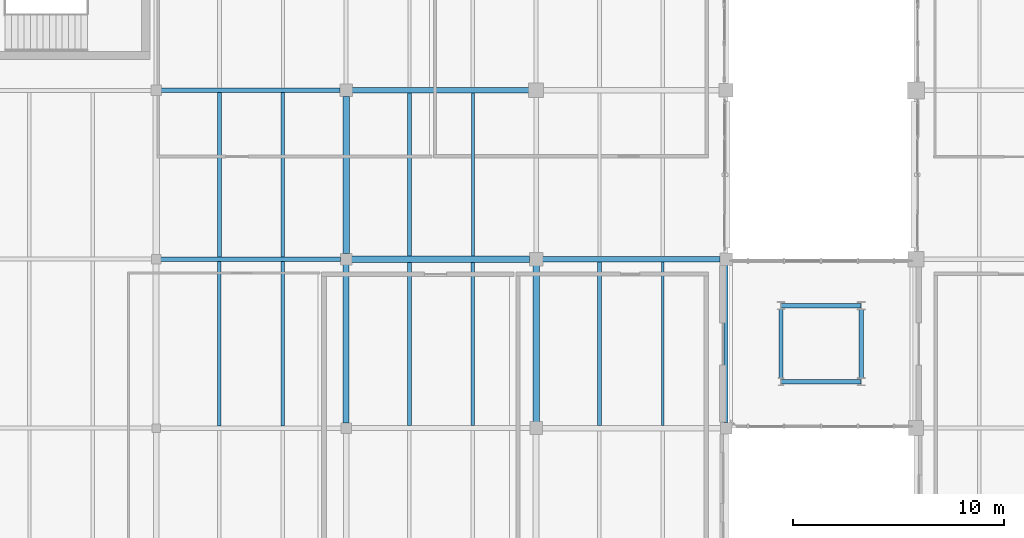
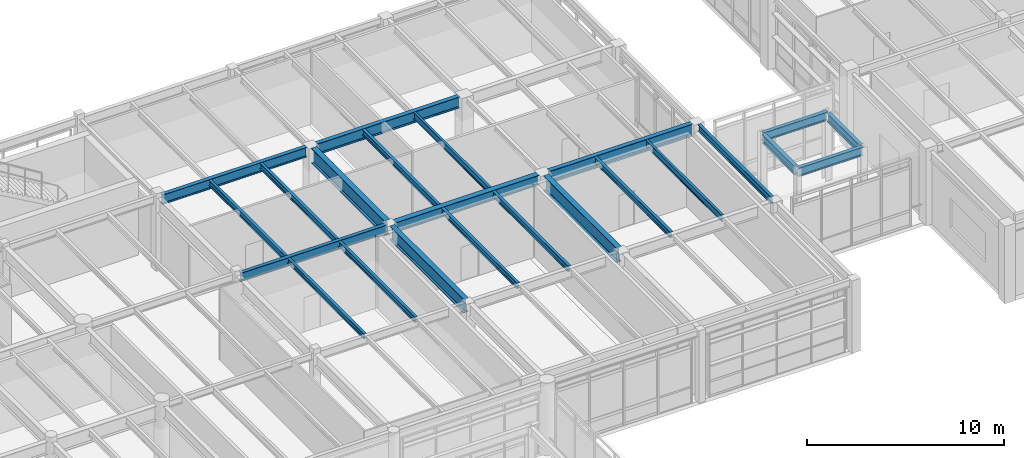
# One storey, part 92 of 200: 23 beams.
"""IFC4 building model written with IfcOpenShell, lengths in metres."""

from ifc_helpers import new_model, si_unit, direction, frame, origin, origin_2d, place, context, subcontext, project, spatial, i_section, extrude, material, material_profile, profile_set, type_object, element, save


model = new_model("IFC4")

# Units and contexts
model_context = context("Model", 3, precision=1e-05, world=origin(), true_north=direction((0.0, 1.0)))
body_context = subcontext(model_context, "Body", "Model", "MODEL_VIEW")
ifc_project = project(units=[si_unit("LENGTHUNIT", "METRE"), si_unit("AREAUNIT", "SQUARE_METRE"), si_unit("VOLUMEUNIT", "CUBIC_METRE"), si_unit("PLANEANGLEUNIT", "RADIAN"), si_unit("MASSUNIT", "GRAM", prefix="KILO"), si_unit("THERMODYNAMICTEMPERATUREUNIT", "KELVIN"), si_unit("POWERUNIT", "WATT")], contexts=[model_context])

# Site, building, storey
site_placement = place(None, origin())
site = spatial("IfcSite", under=ifc_project, at=site_placement, CompositionType="ELEMENT")
building_placement = place(site_placement, origin())
building = spatial("IfcBuilding", under=site, at=building_placement, Name="Tepalcoro Natatorium and Aquatics Centre", CompositionType="ELEMENT")
storey_placement = place(building_placement, frame((0.0, 0.0, 5.39990234375)))
storey = spatial("IfcBuildingStorey", under=building, at=storey_placement, Name="L01", CompositionType="ELEMENT", Elevation=5.39990234375)

# Beams
ifc_material = material(Name="Steel ASTM A992 Grade 50 (Fy 345 MPa)", Category="steel")
ifc_material_profile_1 = material_profile(ifc_material, i_section(OverallWidth=0.2109375, OverallDepth=0.5380859375, WebThickness=0.011962890625, FlangeThickness=0.01904296875, FilletRadius=0.013916015625, at=origin_2d()), Name="W21X73")
ifc_profile_set_1 = profile_set([ifc_material_profile_1], Name="Steel ASTM A992 Grade 50 (Fy 345 MPa)")
beam_type_1 = type_object("IfcBeamType", Name="BM_LINK_LB1", PredefinedType="BEAM", material=ifc_profile_set_1)
for number, where, z_axis, x_axis, name in (
    (1, (91.60009765625, 96.199951171875, 3.9560546875), (1.0, 0.0, 0.0), (0.0, 1.0, 0.0), "Seismic passage link beam LB1 (V6N L01)"),
    (2, (91.60009765625, 99.800048828125, 3.9560546875), (1.0, 0.0, 0.0), (0.0, 1.0, 0.0), "Seismic passage link beam LB1 (V6N L01)"),
):
    element("IfcBeam", number, at=place(storey_placement, frame(where, z_axis=z_axis, x_axis=x_axis)), inside=storey, type_object=beam_type_1, Name=name, PredefinedType="BEAM", context=body_context, shape_type="SweptSolid", body=[
        extrude(i_section(OverallWidth=0.2109375, OverallDepth=0.5380859375, WebThickness=0.011962890625, FlangeThickness=0.01904296875, FilletRadius=0.013916015625, at=origin_2d()), origin(), (0.0, 0.0, 1.0), 3.7998046875),
    ])
beam_1_placement = place(storey_placement, frame((91.60009765625, 96.35693359375, 3.9560546875), z_axis=(0.0, 1.0, 0.0), x_axis=(-1.0, 0.0, 0.0)))
element("IfcBeam", 3, at=beam_1_placement, inside=storey, type_object=beam_type_1, Name="Seismic passage link beam LB1 (V6N L01)", PredefinedType="BEAM", context=body_context, shape_type="SweptSolid", body=[
    extrude(i_section(OverallWidth=0.2109375, OverallDepth=0.5380859375, WebThickness=0.011962890625, FlangeThickness=0.01904296875, FilletRadius=0.013916015625, at=origin_2d()), origin(), (0.0, 0.0, 1.0), 3.2861328125),
])
beam_2_placement = place(storey_placement, frame((95.39990234375, 96.35693359375, 3.9560546875), z_axis=(0.0, 1.0, 0.0), x_axis=(-1.0, 0.0, 0.0)))
element("IfcBeam", 4, at=beam_2_placement, inside=storey, type_object=beam_type_1, Name="Seismic passage link beam LB1 (V6N L01)", PredefinedType="BEAM", context=body_context, shape_type="SweptSolid", body=[
    extrude(i_section(OverallWidth=0.2109375, OverallDepth=0.5380859375, WebThickness=0.011962890625, FlangeThickness=0.01904296875, FilletRadius=0.013916015625, at=origin_2d()), origin(), (0.0, 0.0, 1.0), 3.280029296875),
])
ifc_material_profile_2 = material_profile(ifc_material, i_section(OverallWidth=0.2119140625, OverallDepth=0.5439453125, WebThickness=0.012939453125, FlangeThickness=0.02099609375, FilletRadius=0.013916015625, at=origin_2d()), Name="W21X83")
ifc_profile_set_2 = profile_set([ifc_material_profile_2], Name="Steel ASTM A992 Grade 50 (Fy 345 MPa)")
beam_type_2 = type_object("IfcBeamType", Name="BM_W21x83", PredefinedType="BEAM", material=ifc_profile_set_2)
beam_3_placement = place(storey_placement, frame((62.2099609375, 102.0, 4.213134765625), z_axis=(1.0, 0.0, 0.0), x_axis=(0.0, 1.0, 0.0)))
element("IfcBeam", 5, at=beam_3_placement, inside=storey, type_object=beam_type_2, Name="V4 L01 Grid Girder X", PredefinedType="BEAM", context=body_context, shape_type="SweptSolid", body=[
    extrude(i_section(OverallWidth=0.2119140625, OverallDepth=0.5439453125, WebThickness=0.012939453125, FlangeThickness=0.02099609375, FilletRadius=0.013916015625, at=origin_2d()), origin(), (0.0, 0.0, 1.0), 8.530029296875),
])
ifc_material_profile_3 = material_profile(ifc_material, i_section(OverallWidth=0.324951171875, OverallDepth=0.616943359375, WebThickness=0.013916015625, FlangeThickness=0.02197265625, FilletRadius=0.013916015625, at=origin_2d()), Name="W24X117")
ifc_profile_set_3 = profile_set([ifc_material_profile_3], Name="Steel ASTM A992 Grade 50 (Fy 345 MPa)")
beam_type_3 = type_object("IfcBeamType", Name="BM_W24x117", PredefinedType="BEAM", material=ifc_profile_set_3)
beam_4_placement = place(storey_placement, frame((71.260009765625, 102.0, 4.176513671875), z_axis=(1.0, 0.0, 0.0), x_axis=(0.0, 1.0, 0.0)))
element("IfcBeam", 6, at=beam_4_placement, inside=storey, type_object=beam_type_3, Name="V4 L01 Grid Girder X", PredefinedType="BEAM", context=body_context, shape_type="SweptSolid", body=[
    extrude(i_section(OverallWidth=0.324951171875, OverallDepth=0.616943359375, WebThickness=0.013916015625, FlangeThickness=0.02197265625, FilletRadius=0.013916015625, at=origin_2d()), origin(), (0.0, 0.0, 1.0), 8.429931640625),
])
ifc_material_profile_4 = material_profile(ifc_material, i_section(OverallWidth=0.22802734375, OverallDepth=0.60693359375, WebThickness=0.010986328125, FlangeThickness=0.01708984375, FilletRadius=0.013916015625, at=origin_2d()), Name="W24X76")
ifc_profile_set_4 = profile_set([ifc_material_profile_4], Name="Steel ASTM A992 Grade 50 (Fy 345 MPa)")
beam_type_4 = type_object("IfcBeamType", Name="BM_W24x76", PredefinedType="BEAM", material=ifc_profile_set_4)
beam_5_placement = place(storey_placement, frame((62.235107421875, 110.0, 4.181640625), z_axis=(1.0, 0.0, 0.0), x_axis=(0.0, 1.0, 0.0)))
element("IfcBeam", 7, at=beam_5_placement, inside=storey, type_object=beam_type_4, Name="V4 L01 Grid Girder X", PredefinedType="BEAM", context=body_context, shape_type="SweptSolid", body=[
    extrude(i_section(OverallWidth=0.22802734375, OverallDepth=0.60693359375, WebThickness=0.010986328125, FlangeThickness=0.01708984375, FilletRadius=0.013916015625, at=origin_2d()), origin(), (0.0, 0.0, 1.0), 8.47998046875),
])
ifc_material_profile_5 = material_profile(ifc_material, i_section(OverallWidth=0.25390625, OverallDepth=0.68798828125, WebThickness=0.012939453125, FlangeThickness=0.02099609375, FilletRadius=0.013916015625, at=origin_2d()), Name="W27X102")
ifc_profile_set_5 = profile_set([ifc_material_profile_5], Name="Steel ASTM A992 Grade 50 (Fy 345 MPa)")
beam_type_5 = type_object("IfcBeamType", Name="BM_W27x102", PredefinedType="BEAM", material=ifc_profile_set_5)
beam_6_placement = place(storey_placement, frame((71.284912109375, 110.0, 4.14111328125), z_axis=(1.0, 0.0, 0.0), x_axis=(0.0, 1.0, 0.0)))
element("IfcBeam", 8, at=beam_6_placement, inside=storey, type_object=beam_type_5, Name="V4 L01 Grid Girder X", PredefinedType="BEAM", context=body_context, shape_type="SweptSolid", body=[
    extrude(i_section(OverallWidth=0.25390625, OverallDepth=0.68798828125, WebThickness=0.012939453125, FlangeThickness=0.02099609375, FilletRadius=0.013916015625, at=origin_2d()), origin(), (0.0, 0.0, 1.0), 8.380126953125),
])
ifc_material_profile_6 = material_profile(ifc_material, i_section(OverallWidth=0.26708984375, OverallDepth=0.761962890625, WebThickness=0.013916015625, FlangeThickness=0.02197265625, FilletRadius=0.013916015625, at=origin_2d()), Name="W30X116")
ifc_profile_set_6 = profile_set([ifc_material_profile_6], Name="Steel ASTM A992 Grade 50 (Fy 345 MPa)")
beam_type_6 = type_object("IfcBeamType", Name="BM_W30x116", PredefinedType="BEAM", material=ifc_profile_set_6)
beam_7_placement = place(storey_placement, frame((80.31005859375, 102.0, 4.10400390625), z_axis=(1.0, 0.0, 0.0), x_axis=(0.0, 1.0, 0.0)))
element("IfcBeam", 9, at=beam_7_placement, inside=storey, type_object=beam_type_6, Name="V4 L01 Grid Girder X", PredefinedType="BEAM", context=body_context, shape_type="SweptSolid", body=[
    extrude(i_section(OverallWidth=0.26708984375, OverallDepth=0.761962890625, WebThickness=0.013916015625, FlangeThickness=0.02197265625, FilletRadius=0.013916015625, at=origin_2d()), origin(), (0.0, 0.0, 1.0), 8.405029296875),
])
ifc_material_profile_7 = material_profile(ifc_material, i_section(OverallWidth=0.2919921875, OverallDepth=0.85888671875, WebThickness=0.01708984375, FlangeThickness=0.031005859375, FilletRadius=0.013916015625, at=origin_2d()), Name="W33X169")
ifc_profile_set_7 = profile_set([ifc_material_profile_7], Name="Steel ASTM A992 Grade 50 (Fy 345 MPa)")
beam_type_7 = type_object("IfcBeamType", Name="BM_W33x169", PredefinedType="BEAM", material=ifc_profile_set_7)
beam_8_placement = place(storey_placement, frame((71.0, 94.235107421875, 4.0556640625), z_axis=(0.0, 1.0, 0.0), x_axis=(-1.0, 0.0, 0.0)))
element("IfcBeam", 10, at=beam_8_placement, inside=storey, type_object=beam_type_7, Name="V4 L01 Grid Girder Y", PredefinedType="BEAM", context=body_context, shape_type="SweptSolid", body=[
    extrude(i_section(OverallWidth=0.2919921875, OverallDepth=0.85888671875, WebThickness=0.01708984375, FlangeThickness=0.031005859375, FilletRadius=0.013916015625, at=origin_2d()), origin(), (0.0, 0.0, 1.0), 7.5048828125),
])
ifc_material_profile_8 = material_profile(ifc_material, i_section(OverallWidth=0.304931640625, OverallDepth=0.9189453125, WebThickness=0.01708984375, FlangeThickness=0.028076171875, FilletRadius=0.013916015625, at=origin_2d()), Name="W36X170")
ifc_profile_set_8 = profile_set([ifc_material_profile_8], Name="Steel ASTM A992 Grade 50 (Fy 345 MPa)")
beam_type_8 = type_object("IfcBeamType", Name="BM_W36x170", PredefinedType="BEAM", material=ifc_profile_set_8)
beam_9_placement = place(storey_placement, frame((80.0, 94.284912109375, 4.025634765625), z_axis=(0.0, 1.0, 0.0), x_axis=(-1.0, 0.0, 0.0)))
element("IfcBeam", 11, at=beam_9_placement, inside=storey, type_object=beam_type_8, Name="V4 L01 Grid Girder Y", PredefinedType="BEAM", context=body_context, shape_type="SweptSolid", body=[
    extrude(i_section(OverallWidth=0.304931640625, OverallDepth=0.9189453125, WebThickness=0.01708984375, FlangeThickness=0.028076171875, FilletRadius=0.013916015625, at=origin_2d()), origin(), (0.0, 0.0, 1.0), 7.405029296875),
])
ifc_material_profile_9 = material_profile(ifc_material, i_section(OverallWidth=0.31005859375, OverallDepth=0.931884765625, WebThickness=0.02099609375, FlangeThickness=0.034912109375, FilletRadius=0.013916015625, at=origin_2d()), Name="W36X210")
ifc_profile_set_9 = profile_set([ifc_material_profile_9], Name="Steel ASTM A992 Grade 50 (Fy 345 MPa)")
beam_type_9 = type_object("IfcBeamType", Name="BM_W36x210", PredefinedType="BEAM", material=ifc_profile_set_9)
beam_10_placement = place(storey_placement, frame((71.0, 102.260009765625, 4.01904296875), z_axis=(0.0, 1.0, 0.0), x_axis=(-1.0, 0.0, 0.0)))
element("IfcBeam", 12, at=beam_10_placement, inside=storey, type_object=beam_type_9, Name="V4 L01 Grid Girder Y", PredefinedType="BEAM", context=body_context, shape_type="SweptSolid", body=[
    extrude(i_section(OverallWidth=0.31005859375, OverallDepth=0.931884765625, WebThickness=0.02099609375, FlangeThickness=0.034912109375, FilletRadius=0.013916015625, at=origin_2d()), origin(), (0.0, 0.0, 1.0), 7.455078125),
])
ifc_material_profile_10 = material_profile(ifc_material, i_section(OverallWidth=0.1669921875, OverallDepth=0.318115234375, WebThickness=0.008056640625, FlangeThickness=0.012939453125, FilletRadius=0.013916015625, at=origin_2d()), Name="W12X35")
ifc_profile_set_10 = profile_set([ifc_material_profile_10], Name="Steel ASTM A992 Grade 50 (Fy 345 MPa)")
beam_type_10 = type_object("IfcBeamType", Name="JS_W12x35", PredefinedType="JOIST", material=ifc_profile_set_10)
beam_11_placement = place(storey_placement, frame((65.0, 94.10498046875, 4.326171875), z_axis=(0.0, 1.0, 0.0), x_axis=(-1.0, 0.0, 0.0)))
element("IfcBeam", 13, at=beam_11_placement, inside=storey, type_object=beam_type_10, Name="V4 L01 Floor Joist", PredefinedType="JOIST", context=body_context, shape_type="SweptSolid", body=[
    extrude(i_section(OverallWidth=0.1669921875, OverallDepth=0.318115234375, WebThickness=0.008056640625, FlangeThickness=0.012939453125, FilletRadius=0.013916015625, at=origin_2d()), origin(), (0.0, 0.0, 1.0), 7.7890625),
])
ifc_material_profile_11 = material_profile(ifc_material, i_section(OverallWidth=0.1708984375, OverallDepth=0.35107421875, WebThickness=0.007080078125, FlangeThickness=0.010009765625, FilletRadius=0.013916015625, at=origin_2d()), Name="W14X30")
ifc_profile_set_11 = profile_set([ifc_material_profile_11], Name="Steel ASTM A992 Grade 50 (Fy 345 MPa)")
beam_type_11 = type_object("IfcBeamType", Name="JS_W14x30", PredefinedType="JOIST", material=ifc_profile_set_11)
beam_12_placement = place(storey_placement, frame((68.0, 94.10498046875, 4.3095703125), z_axis=(0.0, 1.0, 0.0), x_axis=(-1.0, 0.0, 0.0)))
element("IfcBeam", 14, at=beam_12_placement, inside=storey, type_object=beam_type_11, Name="V4 L01 Floor Joist", PredefinedType="JOIST", context=body_context, shape_type="SweptSolid", body=[
    extrude(i_section(OverallWidth=0.1708984375, OverallDepth=0.35107421875, WebThickness=0.007080078125, FlangeThickness=0.010009765625, FilletRadius=0.013916015625, at=origin_2d()), origin(), (0.0, 0.0, 1.0), 7.7890625),
])
beam_13_placement = place(storey_placement, frame((65.0, 102.10595703125, 4.3095703125), z_axis=(0.0, 1.0, 0.0), x_axis=(-1.0, 0.0, 0.0)))
element("IfcBeam", 15, at=beam_13_placement, inside=storey, type_object=beam_type_11, Name="V4 L01 Floor Joist", PredefinedType="JOIST", context=body_context, shape_type="SweptSolid", body=[
    extrude(i_section(OverallWidth=0.1708984375, OverallDepth=0.35107421875, WebThickness=0.007080078125, FlangeThickness=0.010009765625, FilletRadius=0.013916015625, at=origin_2d()), origin(), (0.0, 0.0, 1.0), 7.780029296875),
])
beam_14_placement = place(storey_placement, frame((74.0, 94.114990234375, 4.3095703125), z_axis=(0.0, 1.0, 0.0), x_axis=(-1.0, 0.0, 0.0)))
element("IfcBeam", 16, at=beam_14_placement, inside=storey, type_object=beam_type_11, Name="V4 L01 Floor Joist", PredefinedType="JOIST", context=body_context, shape_type="SweptSolid", body=[
    extrude(i_section(OverallWidth=0.1708984375, OverallDepth=0.35107421875, WebThickness=0.007080078125, FlangeThickness=0.010009765625, FilletRadius=0.013916015625, at=origin_2d()), origin(), (0.0, 0.0, 1.0), 7.722412109375),
])
ifc_material_profile_12 = material_profile(ifc_material, i_section(OverallWidth=0.172119140625, OverallDepth=0.35791015625, WebThickness=0.008056640625, FlangeThickness=0.012939453125, FilletRadius=0.013916015625, at=origin_2d()), Name="W14X38")
ifc_profile_set_12 = profile_set([ifc_material_profile_12], Name="Steel ASTM A992 Grade 50 (Fy 345 MPa)")
beam_type_12 = type_object("IfcBeamType", Name="JS_W14x38", PredefinedType="JOIST", material=ifc_profile_set_12)
beam_15_placement = place(storey_placement, frame((68.0, 102.10595703125, 4.30615234375), z_axis=(0.0, 1.0, 0.0), x_axis=(-1.0, 0.0, 0.0)))
element("IfcBeam", 17, at=beam_15_placement, inside=storey, type_object=beam_type_12, Name="V4 L01 Floor Joist", PredefinedType="JOIST", context=body_context, shape_type="SweptSolid", body=[
    extrude(i_section(OverallWidth=0.172119140625, OverallDepth=0.35791015625, WebThickness=0.008056640625, FlangeThickness=0.012939453125, FilletRadius=0.013916015625, at=origin_2d()), origin(), (0.0, 0.0, 1.0), 7.780029296875),
])
beam_16_placement = place(storey_placement, frame((77.0, 94.114990234375, 4.30615234375), z_axis=(0.0, 1.0, 0.0), x_axis=(-1.0, 0.0, 0.0)))
element("IfcBeam", 18, at=beam_16_placement, inside=storey, type_object=beam_type_12, Name="V4 L01 Floor Joist", PredefinedType="JOIST", context=body_context, shape_type="SweptSolid", body=[
    extrude(i_section(OverallWidth=0.172119140625, OverallDepth=0.35791015625, WebThickness=0.008056640625, FlangeThickness=0.012939453125, FilletRadius=0.013916015625, at=origin_2d()), origin(), (0.0, 0.0, 1.0), 7.722412109375),
])
beam_17_placement = place(storey_placement, frame((74.0, 102.16259765625, 4.30615234375), z_axis=(0.0, 1.0, 0.0), x_axis=(-1.0, 0.0, 0.0)))
element("IfcBeam", 19, at=beam_17_placement, inside=storey, type_object=beam_type_12, Name="V4 L01 Floor Joist", PredefinedType="JOIST", context=body_context, shape_type="SweptSolid", body=[
    extrude(i_section(OverallWidth=0.172119140625, OverallDepth=0.35791015625, WebThickness=0.008056640625, FlangeThickness=0.012939453125, FilletRadius=0.013916015625, at=origin_2d()), origin(), (0.0, 0.0, 1.0), 7.71044921875),
])
beam_18_placement = place(storey_placement, frame((83.0, 94.126953125, 4.30615234375), z_axis=(0.0, 1.0, 0.0), x_axis=(-1.0, 0.0, 0.0)))
element("IfcBeam", 20, at=beam_18_placement, inside=storey, type_object=beam_type_12, Name="V4 L01 Floor Joist", PredefinedType="JOIST", context=body_context, shape_type="SweptSolid", body=[
    extrude(i_section(OverallWidth=0.172119140625, OverallDepth=0.35791015625, WebThickness=0.008056640625, FlangeThickness=0.012939453125, FilletRadius=0.013916015625, at=origin_2d()), origin(), (0.0, 0.0, 1.0), 7.739501953125),
])
ifc_material_profile_13 = material_profile(ifc_material, i_section(OverallWidth=0.139892578125, OverallDepth=0.404052734375, WebThickness=0.007080078125, FlangeThickness=0.010986328125, FilletRadius=0.013916015625, at=origin_2d()), Name="W16X31")
ifc_profile_set_13 = profile_set([ifc_material_profile_13], Name="Steel ASTM A992 Grade 50 (Fy 345 MPa)")
beam_type_13 = type_object("IfcBeamType", Name="JS_W16x31", PredefinedType="JOIST", material=ifc_profile_set_13)
beam_19_placement = place(storey_placement, frame((77.0, 102.16259765625, 4.283203125), z_axis=(0.0, 1.0, 0.0), x_axis=(-1.0, 0.0, 0.0)))
element("IfcBeam", 21, at=beam_19_placement, inside=storey, type_object=beam_type_13, Name="V4 L01 Floor Joist", PredefinedType="JOIST", context=body_context, shape_type="SweptSolid", body=[
    extrude(i_section(OverallWidth=0.139892578125, OverallDepth=0.404052734375, WebThickness=0.007080078125, FlangeThickness=0.010986328125, FilletRadius=0.013916015625, at=origin_2d()), origin(), (0.0, 0.0, 1.0), 7.71044921875),
])
beam_20_placement = place(storey_placement, frame((86.0, 94.126953125, 4.283203125), z_axis=(0.0, 1.0, 0.0), x_axis=(-1.0, 0.0, 0.0)))
element("IfcBeam", 22, at=beam_20_placement, inside=storey, type_object=beam_type_13, Name="V4 L01 Floor Joist", PredefinedType="JOIST", context=body_context, shape_type="SweptSolid", body=[
    extrude(i_section(OverallWidth=0.139892578125, OverallDepth=0.404052734375, WebThickness=0.007080078125, FlangeThickness=0.010986328125, FilletRadius=0.013916015625, at=origin_2d()), origin(), (0.0, 0.0, 1.0), 7.739501953125),
])
ifc_material_profile_14 = material_profile(ifc_material, i_section(OverallWidth=0.179931640625, OverallDepth=0.4130859375, WebThickness=0.010009765625, FlangeThickness=0.01611328125, FilletRadius=0.013916015625, at=origin_2d()), Name="W16X50")
ifc_profile_set_14 = profile_set([ifc_material_profile_14], Name="Steel ASTM A992 Grade 50 (Fy 345 MPa)")
beam_type_14 = type_object("IfcBeamType", Name="SP_HSS300x200x12", PredefinedType="SPANDREL", material=ifc_profile_set_14)
beam_21_placement = place(storey_placement, frame((89.0, 94.260009765625, 4.278564453125), z_axis=(0.0, 1.0, 0.0), x_axis=(-1.0, 0.0, 0.0)))
element("IfcBeam", 23, at=beam_21_placement, inside=storey, type_object=beam_type_14, Name="V4 L01 Grid Girder Y", PredefinedType="SPANDREL", context=body_context, shape_type="SweptSolid", body=[
    extrude(i_section(OverallWidth=0.179931640625, OverallDepth=0.4130859375, WebThickness=0.010009765625, FlangeThickness=0.01611328125, FilletRadius=0.013916015625, at=origin_2d()), origin(), (0.0, 0.0, 1.0), 7.455078125),
])

save(model, "model.ifc")
